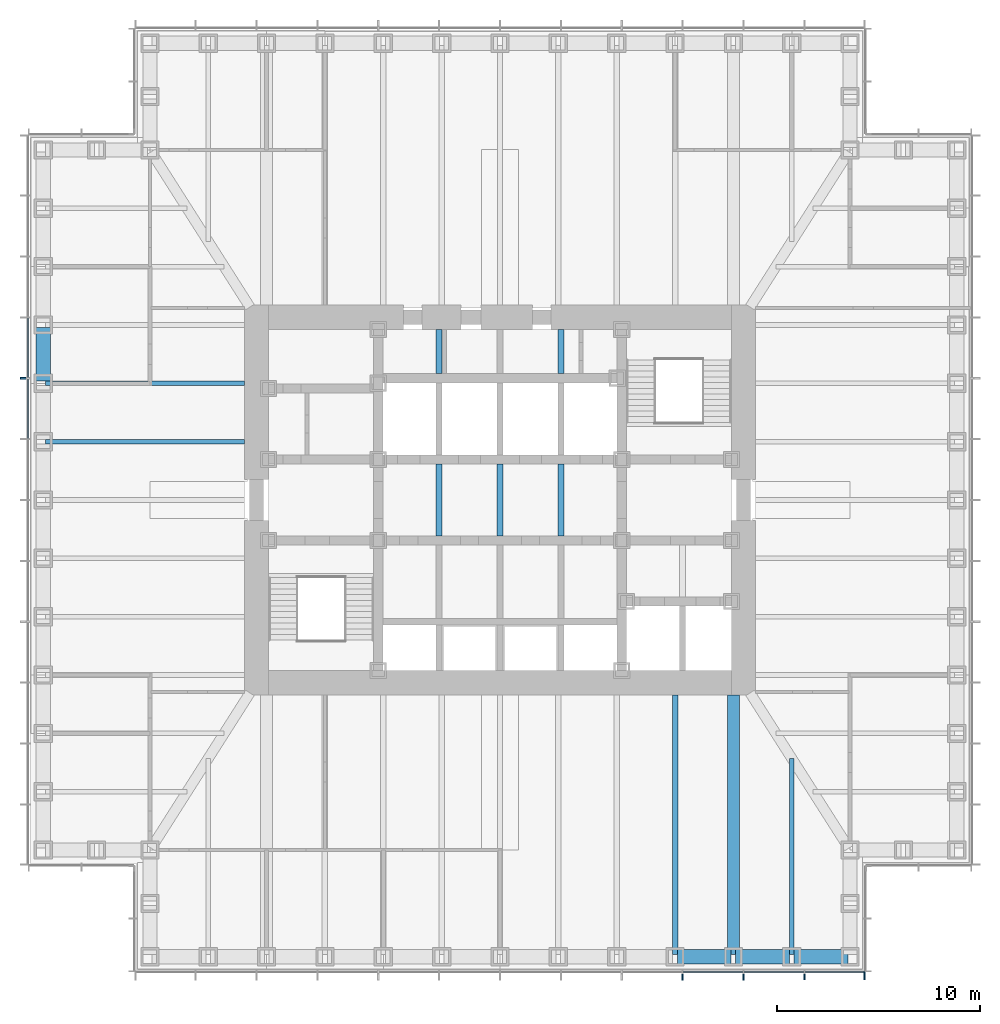
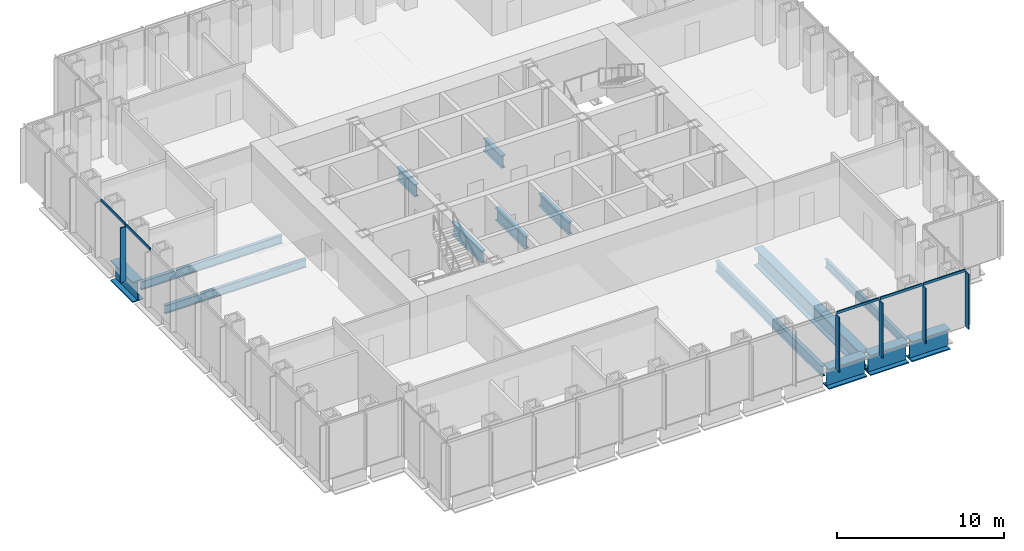
# One storey, part 3 of 16: 14 beams, 10 members, 2 elements without a shape of their own.
"""IFC4 building model written with IfcOpenShell, lengths in metres."""

from ifc_helpers import new_model, si_unit, direction, frame, origin, origin_2d, place, context, subcontext, project, spatial, rectangle, i_section, extrude, material, material_profile, profile_set, type_object, element, aggregate, save


model = new_model("IFC4")

# Units and contexts
model_context = context("Model", 3, precision=1e-05, world=origin(), true_north=direction((0.0, 1.0)))
body_context = subcontext(model_context, "Body", "Model", "MODEL_VIEW")
ifc_project = project(units=[si_unit("LENGTHUNIT", "METRE"), si_unit("AREAUNIT", "SQUARE_METRE"), si_unit("VOLUMEUNIT", "CUBIC_METRE"), si_unit("PLANEANGLEUNIT", "RADIAN"), si_unit("MASSUNIT", "GRAM", prefix="KILO")], contexts=[model_context])

# Site, building, storey
site_placement = place(None, origin())
site = spatial("IfcSite", under=ifc_project, at=site_placement, CompositionType="ELEMENT")
building_placement = place(site_placement, origin())
building = spatial("IfcBuilding", under=site, at=building_placement, Name="Daluyong Arena Tower", CompositionType="ELEMENT")
storey_placement = place(building_placement, frame((0.0, 0.0, 162.699951171875)))
storey = spatial("IfcBuildingStorey", under=building, at=storey_placement, Name="L36", CompositionType="ELEMENT", Elevation=162.699951171875)

# Curtain wall, members
ifc_material_1 = material(Name="Bronze anodised aluminium and glass", Category="aluminium")
curtain_wall_type = type_object("IfcCurtainWallType", Name="Curtain wall CW2", PredefinedType="USERDEFINED", material=ifc_material_1)
curtain_wall_1_placement = place(storey_placement, origin())
curtain_wall_1 = element("IfcCurtainWall", 1, at=curtain_wall_1_placement, inside=storey, type_object=curtain_wall_type, Name="curtain wall L36 S", ObjectType="UNITISED CURTAIN WALL", PredefinedType="USERDEFINED")
ifc_material_2 = material(Name="Bronze anodised aluminium fin", Category="aluminium")
ifc_material_profile_1 = material_profile(ifc_material_2, rectangle(XDim=0.39990234375, YDim=0.080078125, at=origin_2d()))
ifc_profile_set_1 = profile_set([ifc_material_profile_1], Name="Bronze anodised aluminium fin")
member_type_1 = type_object("IfcMemberType", Name="CW2 bronze fin 400x80", PredefinedType="MULLION", material=ifc_profile_set_1)
member_1_placement = place(storey_placement, frame((65.0, 56.550048828125, 0.0), z_axis=(0.0, 0.0, 1.0), x_axis=(0.0, 1.0, 0.0)))
member_1 = element("IfcMember", 2, at=member_1_placement, type_object=member_type_1, Name="curtain wall L36 S fin 10", PredefinedType="MULLION", context=body_context, shape_type="SweptSolid", body=[
    extrude(rectangle(XDim=0.39990234375, YDim=0.080078125, at=origin_2d()), origin(), (0.0, 0.0, 1.0), 4.02001953125),
])
member_2_placement = place(storey_placement, frame((68.0, 56.550048828125, 0.0), z_axis=(0.0, 0.0, 1.0), x_axis=(0.0, 1.0, 0.0)))
member_2 = element("IfcMember", 3, at=member_2_placement, type_object=member_type_1, Name="curtain wall L36 S fin 11", PredefinedType="MULLION", context=body_context, shape_type="SweptSolid", body=[
    extrude(rectangle(XDim=0.39990234375, YDim=0.080078125, at=origin_2d()), origin(), (0.0, 0.0, 1.0), 4.02001953125),
])
member_3_placement = place(storey_placement, frame((71.0, 56.550048828125, 0.0), z_axis=(0.0, 0.0, 1.0), x_axis=(0.0, 1.0, 0.0)))
member_3 = element("IfcMember", 4, at=member_3_placement, type_object=member_type_1, Name="curtain wall L36 S fin 12", PredefinedType="MULLION", context=body_context, shape_type="SweptSolid", body=[
    extrude(rectangle(XDim=0.39990234375, YDim=0.080078125, at=origin_2d()), origin(), (0.0, 0.0, 1.0), 4.02001953125),
])
member_4_placement = place(storey_placement, frame((73.9599609375, 56.550048828125, 0.0), z_axis=(0.0, 0.0, 1.0), x_axis=(0.0, 1.0, 0.0)))
member_4 = element("IfcMember", 5, at=member_4_placement, type_object=member_type_1, Name="curtain wall L36 S fin 13", PredefinedType="MULLION", context=body_context, shape_type="SweptSolid", body=[
    extrude(rectangle(XDim=0.39990234375, YDim=0.080078125, at=origin_2d()), origin(), (0.0, 0.0, 1.0), 4.02001953125),
])

# Curtain wall, member
curtain_wall_2_placement = place(storey_placement, origin())
curtain_wall_2 = element("IfcCurtainWall", 6, at=curtain_wall_2_placement, inside=storey, type_object=curtain_wall_type, Name="curtain wall L36 W", ObjectType="UNITISED CURTAIN WALL", PredefinedType="USERDEFINED")
member_5_placement = place(storey_placement, frame((32.550048828125, 86.0, 0.0), z_axis=(0.0, 0.0, 1.0), x_axis=(1.0, 0.0, 0.0)))
member_5 = element("IfcMember", 7, at=member_5_placement, type_object=member_type_1, Name="curtain wall L36 W fin 5", PredefinedType="MULLION", context=body_context, shape_type="SweptSolid", body=[
    extrude(rectangle(XDim=0.39990234375, YDim=0.080078125, at=origin_2d()), origin(), (0.0, 0.0, 1.0), 4.02001953125),
])

# Member
ifc_material_3 = material(Name="Bronze anodised aluminium", Category="aluminium")
ifc_material_profile_2 = material_profile(ifc_material_3, rectangle(XDim=0.080078125, YDim=0.179931640625, at=origin_2d()))
ifc_profile_set_2 = profile_set([ifc_material_profile_2], Name="Bronze anodised aluminium")
member_type_2 = type_object("IfcMemberType", Name="CW2 stack transom 180x80", PredefinedType="USERDEFINED", material=ifc_profile_set_2)
member_6_placement = place(storey_placement, frame((65.0400390625, 56.75, 4.110107421875), z_axis=(1.0, 0.0, 0.0), x_axis=(0.0, 1.0, 0.0)))
member_6 = element("IfcMember", 8, at=member_6_placement, type_object=member_type_2, Name="curtain wall L36 S transom 10", ObjectType="TRANSOM", PredefinedType="USERDEFINED", context=body_context, shape_type="SweptSolid", body=[
    extrude(rectangle(XDim=0.080078125, YDim=0.179931640625, at=origin_2d()), origin(), (0.0, 0.0, 1.0), 2.919921875),
])

member_7_placement = place(storey_placement, frame((68.0400390625, 56.75, 4.110107421875), z_axis=(1.0, 0.0, 0.0), x_axis=(0.0, 1.0, 0.0)))
member_7 = element("IfcMember", 9, at=member_7_placement, type_object=member_type_2, Name="curtain wall L36 S transom 11", ObjectType="TRANSOM", PredefinedType="USERDEFINED", context=body_context, shape_type="SweptSolid", body=[
    extrude(rectangle(XDim=0.080078125, YDim=0.179931640625, at=origin_2d()), origin(), (0.0, 0.0, 1.0), 2.919921875),
])

member_8_placement = place(storey_placement, frame((71.0400390625, 56.75, 4.110107421875), z_axis=(1.0, 0.0, 0.0), x_axis=(0.0, 1.0, 0.0)))
member_8 = element("IfcMember", 10, at=member_8_placement, type_object=member_type_2, Name="curtain wall L36 S transom 12", ObjectType="TRANSOM", PredefinedType="USERDEFINED", context=body_context, shape_type="SweptSolid", body=[
    extrude(rectangle(XDim=0.080078125, YDim=0.179931640625, at=origin_2d()), origin(), (0.0, 0.0, 1.0), 2.8798828125),
])

aggregate(curtain_wall_1, [member_1, member_2, member_3, member_4, member_6, member_7, member_8])

member_9_placement = place(storey_placement, frame((32.75, 88.9599609375, 4.110107421875), z_axis=(0.0, -1.0, 0.0), x_axis=(1.0, 0.0, 0.0)))
member_9 = element("IfcMember", 11, at=member_9_placement, type_object=member_type_2, Name="curtain wall L36 W transom 4", ObjectType="TRANSOM", PredefinedType="USERDEFINED", context=body_context, shape_type="SweptSolid", body=[
    extrude(rectangle(XDim=0.080078125, YDim=0.179931640625, at=origin_2d()), origin(), (0.0, 0.0, 1.0), 2.919921875),
])

member_10_placement = place(storey_placement, frame((32.75, 85.9599609375, 4.110107421875), z_axis=(0.0, -1.0, 0.0), x_axis=(1.0, 0.0, 0.0)))
member_10 = element("IfcMember", 12, at=member_10_placement, type_object=member_type_2, Name="curtain wall L36 W transom 5", ObjectType="TRANSOM", PredefinedType="USERDEFINED", context=body_context, shape_type="SweptSolid", body=[
    extrude(rectangle(XDim=0.080078125, YDim=0.179931640625, at=origin_2d()), origin(), (0.0, 0.0, 1.0), 2.919921875),
])

aggregate(curtain_wall_2, [member_5, member_9, member_10])

# Beams
ifc_material_4 = material(Name="Steel ASTM A572 Grade 50", Category="steel")
ifc_material_profile_3 = material_profile(ifc_material_4, i_section(OverallWidth=0.60009765625, OverallDepth=1.300048828125, WebThickness=0.035, FlangeThickness=0.07, at=origin_2d()))
ifc_profile_set_3 = profile_set([ifc_material_profile_3], Name="Steel ASTM A572 Grade 50")
beam_type_1 = type_object("IfcBeamType", Name="Floor beam TB1300X600", PredefinedType="BEAM", material=ifc_profile_set_3)
beam_1_placement = place(storey_placement, frame((67.5, 57.614990234375, -0.81005859375), z_axis=(0.0, 1.0, 0.0), x_axis=(-1.0, 0.0, 0.0)))
element("IfcBeam", 13, at=beam_1_placement, inside=storey, type_object=beam_type_1, Name="floor beam FB7", PredefinedType="BEAM", context=body_context, shape_type="SweptSolid", body=[
    extrude(i_section(OverallWidth=0.60009765625, OverallDepth=1.300048828125, WebThickness=0.035, FlangeThickness=0.07, at=origin_2d()), origin(), (0.0, 0.0, 1.0), 12.784912109375),
])
ifc_material_5 = material(Name="Steel ASTM A992 Grade 50", Category="steel")
ifc_material_profile_4 = material_profile(ifc_material_5, i_section(OverallWidth=0.22900390625, OverallDepth=0.612060546875, WebThickness=0.011962890625, FlangeThickness=0.01953125, at=origin_2d()))
ifc_profile_set_4 = profile_set([ifc_material_profile_4], Name="Steel ASTM A992 Grade 50")
beam_type_2 = type_object("IfcBeamType", Name="Floor beam W24X84", PredefinedType="BEAM", material=ifc_profile_set_4)
beam_2_placement = place(storey_placement, frame((70.375, 57.614990234375, -0.466064453125), z_axis=(0.0, 1.0, 0.0), x_axis=(-1.0, 0.0, 0.0)))
element("IfcBeam", 14, at=beam_2_placement, inside=storey, type_object=beam_type_2, Name="floor beam FB3", PredefinedType="BEAM", context=body_context, shape_type="SweptSolid", body=[
    extrude(i_section(OverallWidth=0.22900390625, OverallDepth=0.612060546875, WebThickness=0.011962890625, FlangeThickness=0.01953125, at=origin_2d()), origin(), (0.0, 0.0, 1.0), 9.65283203125),
])
for number, where, z_axis, x_axis, name in (
    (15, (33.614990234375, 85.75, -0.466064453125), (1.0, 0.0, 0.0), (0.0, 1.0, 0.0), "floor beam FB3"),
    (16, (33.614990234375, 82.875, -0.466064453125), (1.0, 0.0, 0.0), (0.0, 1.0, 0.0), "floor beam FB3"),
):
    element("IfcBeam", number, at=place(storey_placement, frame(where, z_axis=z_axis, x_axis=x_axis)), inside=storey, type_object=beam_type_2, Name=name, PredefinedType="BEAM", context=body_context, shape_type="SweptSolid", body=[
        extrude(i_section(OverallWidth=0.22900390625, OverallDepth=0.612060546875, WebThickness=0.011962890625, FlangeThickness=0.01953125, at=origin_2d()), origin(), (0.0, 0.0, 1.0), 9.784912109375),
    ])
ifc_material_6 = material(Name="Steel ASTM A992 Grade 50", Category="steel")
ifc_material_profile_5 = material_profile(ifc_material_6, i_section(OverallWidth=0.2666015625, OverallDepth=0.761962890625, WebThickness=0.014404296875, FlangeThickness=0.021484375, at=origin_2d()))
ifc_profile_set_5 = profile_set([ifc_material_profile_5], Name="Steel ASTM A992 Grade 50")
beam_type_3 = type_object("IfcBeamType", Name="Floor beam W30X116", PredefinedType="BEAM", material=ifc_profile_set_5)
beam_3_placement = place(storey_placement, frame((64.625, 57.614990234375, -0.541015625), z_axis=(0.0, 1.0, 0.0), x_axis=(-1.0, 0.0, 0.0)))
element("IfcBeam", 17, at=beam_3_placement, inside=storey, type_object=beam_type_3, Name="floor beam FB4", PredefinedType="BEAM", context=body_context, shape_type="SweptSolid", body=[
    extrude(i_section(OverallWidth=0.2666015625, OverallDepth=0.761962890625, WebThickness=0.014404296875, FlangeThickness=0.021484375, at=origin_2d()), origin(), (0.0, 0.0, 1.0), 12.784912109375),
])
ifc_material_7 = material(Name="Steel ASTM A572 Grade 50", Category="steel")
ifc_material_profile_6 = material_profile(ifc_material_7, i_section(OverallWidth=0.300048828125, OverallDepth=0.89990234375, WebThickness=0.025, FlangeThickness=0.04, at=origin_2d()))
ifc_profile_set_6 = profile_set([ifc_material_profile_6], Name="Steel ASTM A572 Grade 50")
beam_type_4 = type_object("IfcBeamType", Name="Lift divider beam PG900X300", PredefinedType="BEAM", material=ifc_profile_set_6)
beam_4_placement = place(storey_placement, frame((53.0, 78.22509765625, -0.60986328125), z_axis=(0.0, 1.0, 0.0), x_axis=(-1.0, 0.0, 0.0)))
element("IfcBeam", 18, at=beam_4_placement, inside=storey, type_object=beam_type_4, Name="lift divider beam DB1", PredefinedType="BEAM", context=body_context, shape_type="SweptSolid", body=[
    extrude(i_section(OverallWidth=0.300048828125, OverallDepth=0.89990234375, WebThickness=0.025, FlangeThickness=0.04, at=origin_2d()), origin(), (0.0, 0.0, 1.0), 3.5498046875),
])
beam_5_placement = place(storey_placement, frame((53.0, 86.22509765625, -0.60986328125), z_axis=(0.0, 1.0, 0.0), x_axis=(-1.0, 0.0, 0.0)))
element("IfcBeam", 19, at=beam_5_placement, inside=storey, type_object=beam_type_4, Name="lift divider beam DB1", PredefinedType="BEAM", context=body_context, shape_type="SweptSolid", body=[
    extrude(i_section(OverallWidth=0.300048828125, OverallDepth=0.89990234375, WebThickness=0.025, FlangeThickness=0.04, at=origin_2d()), origin(), (0.0, 0.0, 1.0), 2.1748046875),
])
for number, where, z_axis, x_axis, name in (
    (20, (56.0, 78.22509765625, -0.60986328125), (0.0, 1.0, 0.0), (-1.0, 0.0, 0.0), "lift divider beam DB1"),
    (21, (59.0, 78.22509765625, -0.60986328125), (0.0, 1.0, 0.0), (-1.0, 0.0, 0.0), "lift divider beam DB1"),
):
    element("IfcBeam", number, at=place(storey_placement, frame(where, z_axis=z_axis, x_axis=x_axis)), inside=storey, type_object=beam_type_4, Name=name, PredefinedType="BEAM", context=body_context, shape_type="SweptSolid", body=[
        extrude(i_section(OverallWidth=0.300048828125, OverallDepth=0.89990234375, WebThickness=0.025, FlangeThickness=0.04, at=origin_2d()), origin(), (0.0, 0.0, 1.0), 3.5498046875),
    ])
beam_6_placement = place(storey_placement, frame((59.0, 86.22509765625, -0.60986328125), z_axis=(0.0, 1.0, 0.0), x_axis=(-1.0, 0.0, 0.0)))
element("IfcBeam", 22, at=beam_6_placement, inside=storey, type_object=beam_type_4, Name="lift divider beam DB1", PredefinedType="BEAM", context=body_context, shape_type="SweptSolid", body=[
    extrude(i_section(OverallWidth=0.300048828125, OverallDepth=0.89990234375, WebThickness=0.025, FlangeThickness=0.04, at=origin_2d()), origin(), (0.0, 0.0, 1.0), 2.1748046875),
])
ifc_material_8 = material(Name="Steel ASTM A572 Grade 50", Category="steel")
ifc_material_profile_7 = material_profile(ifc_material_8, i_section(OverallWidth=0.699951171875, OverallDepth=1.5, WebThickness=0.04, FlangeThickness=0.08, at=origin_2d()))
ifc_profile_set_7 = profile_set([ifc_material_profile_7], Name="Steel ASTM A572 Grade 50")
beam_type_5 = type_object("IfcBeamType", Name="Spandrel Z2 PG1500X700", PredefinedType="SPANDREL", material=ifc_profile_set_7)
for number, where, z_axis, x_axis, name in (
    (23, (64.739990234375, 57.5, -0.909912109375), (1.0, 0.0, 0.0), (0.0, 1.0, 0.0), "spandrel z2 SB6"),
    (24, (67.614990234375, 57.5, -0.909912109375), (1.0, 0.0, 0.0), (0.0, 1.0, 0.0), "spandrel z2 SB6"),
    (25, (70.489990234375, 57.5, -0.909912109375), (1.0, 0.0, 0.0), (0.0, 1.0, 0.0), "spandrel z2 SB6"),
    (26, (33.5, 88.510009765625, -0.909912109375), (0.0, -1.0, 0.0), (1.0, 0.0, 0.0), "spandrel z2 SB6"),
):
    element("IfcBeam", number, at=place(storey_placement, frame(where, z_axis=z_axis, x_axis=x_axis)), inside=storey, type_object=beam_type_5, Name=name, PredefinedType="SPANDREL", context=body_context, shape_type="SweptSolid", body=[
        extrude(i_section(OverallWidth=0.699951171875, OverallDepth=1.5, WebThickness=0.04, FlangeThickness=0.08, at=origin_2d()), origin(), (0.0, 0.0, 1.0), 2.64501953125),
    ])

save(model, "model.ifc")
